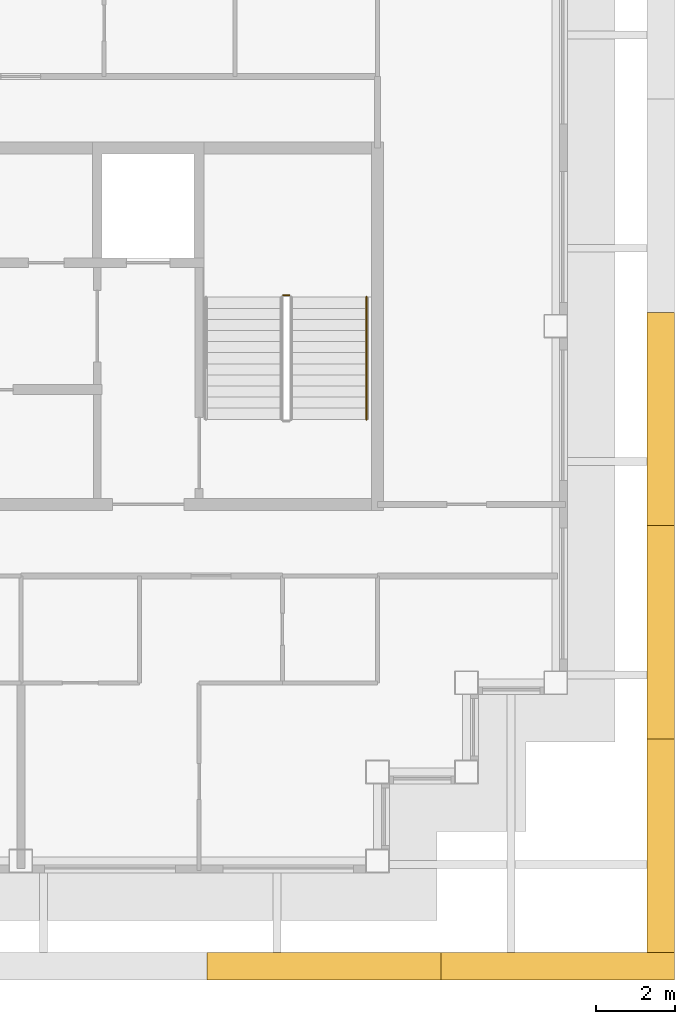
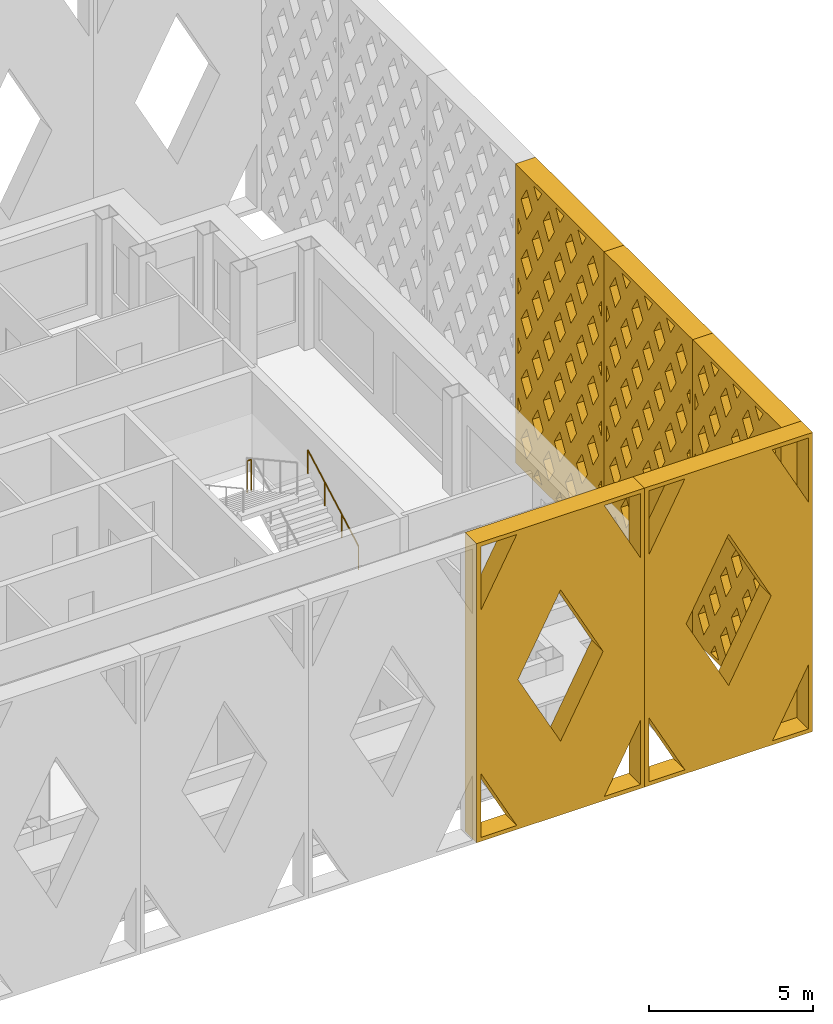
# One storey, part 12 of 13: 5 shading devices, 2 railings.
"""IFC4 building model written with IfcOpenShell, lengths in metres."""

import ifcopenshell
import ifcopenshell.guid

model = None  # the IFC model being written
_history = None  # IfcOwnerHistory: only IFC2X3 demands one
_inside = {}  # id of a spatial element -> (the spatial element, [elements in it])
_under = {}  # id of a project, library or spatial element -> (it, [spatial elements below it])
_declared = {}  # id of a project -> (the project, [libraries it declares])
_typed = {}  # id of a type object -> (the type object, [elements of that type])
_made_of = {}  # id of a material, layer set ... -> (it, [elements and type objects made of it])


def new_model(schema):
    """Start an empty IFC model of exactly this schema.

    Asked for "IFC4X3", IfcOpenShell would pick the latest addendum, in which some entities
    have other attributes; the version numbers below select the first issue.
    IFC2X3 requires an IfcOwnerHistory on every rooted entity: one is made here for all.
    """
    global model, _history
    if schema == "IFC4X3":
        model = ifcopenshell.file(schema_version=(4, 3, 0, 0))
    else:
        model = ifcopenshell.file(schema=schema)
    _inside.clear()
    _under.clear()
    _declared.clear()
    _typed.clear()
    _made_of.clear()
    _history = None
    if model.schema == "IFC2X3":
        org = make("IfcOrganization", Name="unknown")
        user = make(
            "IfcPersonAndOrganization",
            ThePerson=make("IfcPerson", FamilyName="unknown"),
            TheOrganization=org,
        )
        app = make(
            "IfcApplication",
            ApplicationDeveloper=org,
            Version="unknown",
            ApplicationFullName="unknown",
            ApplicationIdentifier="unknown",
        )
        _history = make(
            "IfcOwnerHistory",
            OwningUser=user,
            OwningApplication=app,
            ChangeAction="ADDED",
            CreationDate=0,
        )
    return model


def make(cls, **values):
    """One entity of the class cls with the attributes given. An attribute that is None is left unset."""
    return model.create_entity(
        cls, **{name: value for name, value in values.items() if value is not None}
    )


def rooted(cls, **values):
    """An entity with a GlobalId (a new one), such as an element, a storey or a relation."""
    return make(cls, GlobalId=ifcopenshell.guid.new(), OwnerHistory=_history, **values)


def si_unit(unit_type, name, prefix=None):
    """IfcSIUnit, for example si_unit("LENGTHUNIT", "METRE", prefix="MILLI")."""
    return make("IfcSIUnit", UnitType=unit_type, Prefix=prefix, Name=name)


def assignment(units):
    """IfcUnitAssignment: the units of a project."""
    return None if units is None else make("IfcUnitAssignment", Units=units)


def point(xyz):
    """IfcCartesianPoint."""
    return None if xyz is None else make("IfcCartesianPoint", Coordinates=xyz)


def direction(xyz):
    """IfcDirection."""
    return None if xyz is None else make("IfcDirection", DirectionRatios=xyz)


def frame(location, z_axis=None, x_axis=None):
    """IfcAxis2Placement3D, a coordinate frame: its origin and axes. An axis left out is left unset."""
    return make(
        "IfcAxis2Placement3D",
        Location=point(location),
        Axis=direction(z_axis),
        RefDirection=direction(x_axis),
    )


def frame_2d(location, x_axis=None):
    """IfcAxis2Placement2D, a coordinate frame in the plane: its origin and x axis."""
    return make(
        "IfcAxis2Placement2D", Location=point(location), RefDirection=direction(x_axis)
    )


def origin():
    """The frame at (0, 0, 0) with its axes left unset."""
    return frame((0.0, 0.0, 0.0))


def origin_2d():
    """The frame at (0, 0) in the plane with its x axis left unset."""
    return frame_2d((0.0, 0.0))


def place(relative_to, where):
    """IfcLocalPlacement: puts the frame where relative to a parent placement (None: the world)."""
    return make(
        "IfcLocalPlacement", PlacementRelTo=relative_to, RelativePlacement=where
    )


def context(
    kind, dimensions, precision=None, world=None, true_north=None, identifier=None
):
    """IfcGeometricRepresentationContext, for example the 3D "Model" context."""
    return make(
        "IfcGeometricRepresentationContext",
        ContextIdentifier=identifier,
        ContextType=kind,
        CoordinateSpaceDimension=dimensions,
        Precision=precision,
        WorldCoordinateSystem=world,
        TrueNorth=true_north,
    )


def subcontext(parent, identifier, kind, view, scale=None):
    """IfcGeometricRepresentationSubContext, for example "Body" below "Model"."""
    return make(
        "IfcGeometricRepresentationSubContext",
        ContextIdentifier=identifier,
        ContextType=kind,
        ParentContext=parent,
        TargetScale=scale,
        TargetView=view,
    )


def project(units=None, contexts=None):
    """IfcProject with its units and contexts."""
    return rooted(
        "IfcProject",
        Name="project",
        RepresentationContexts=contexts,
        UnitsInContext=assignment(units),
    )


def spatial(cls, under=None, at=None, **own):
    """A site, building, storey or space (cls), placed at a placement, below another one or the project."""
    s = rooted(cls, ObjectPlacement=at, **own)
    if under is not None:
        _under.setdefault(under.id(), (under, []))[1].append(s)
    return s


def polyline(points):
    """IfcPolyline through the points."""
    return make("IfcPolyline", Points=[point(p) for p in points])


def profile(cls, at=None, kind="AREA", **sizes):
    """A parametric profile (cls). Its sizes go by their IFC names, for example OverallWidth=200.0."""
    return make(cls, ProfileType=kind, Position=at, **sizes)


def circle(**sizes):
    """IfcCircleProfileDef."""
    return profile("IfcCircleProfileDef", **sizes)


def outline(outer, holes=None, kind="AREA"):
    """IfcArbitraryClosedProfileDef: a profile drawn as a closed curve; with holes, ...WithVoids."""
    if holes is None:
        return make("IfcArbitraryClosedProfileDef", ProfileType=kind, OuterCurve=outer)
    return make(
        "IfcArbitraryProfileDefWithVoids",
        ProfileType=kind,
        OuterCurve=outer,
        InnerCurves=holes,
    )


def extrude(swept, where, along, depth):
    """IfcExtrudedAreaSolid: the profile swept, set in the frame where, extruded along a direction by depth."""
    return make(
        "IfcExtrudedAreaSolid",
        SweptArea=swept,
        Position=where,
        ExtrudedDirection=direction(along),
        Depth=depth,
    )


def shape(context_of_items, identifier, shape_type, items):
    """IfcShapeRepresentation: the items that make up one representation, for example the "Body"."""
    return make(
        "IfcShapeRepresentation",
        ContextOfItems=context_of_items,
        RepresentationIdentifier=identifier,
        RepresentationType=shape_type,
        Items=items,
    )


def material(Name=None, Category=None):
    """IfcMaterial."""
    return make("IfcMaterial", Name=Name, Category=Category)


def made_of(thing, what):
    """Note that an element or type object is made of a material, layer set ...; save() writes the relation."""
    if what is not None:
        _made_of.setdefault(what.id(), (what, []))[1].append(thing)
    return thing


def type_object(cls, material=None, **own):
    """A type object (cls), such as IfcWallType, which elements share."""
    return made_of(rooted(cls, **own), material)


def element(
    cls,
    number,
    at=None,
    inside=None,
    cuts=None,
    type_object=None,
    material=None,
    context=None,
    identifier="Body",
    shape_type=None,
    held_by="IfcProductDefinitionShape",
    body=None,
    shapes=None,
    **own,
):
    """One element of the class cls, such as IfcWall. Its Tag is "e" and its number.

    at: its placement. inside: the storey or other place that contains it. cuts: it is an
    opening in that element (IfcRelVoidsElement). A single representation is given by context,
    identifier, shape_type and body (its items); several are given by shapes. held_by: the class
    of the entity that holds the representations. save() writes the other relations.
    """
    e = rooted(cls, Tag="e%d" % number, ObjectPlacement=at, **own)
    if body is not None:
        shapes = [shape(context, identifier, shape_type, body)]
    if shapes is not None:
        e.Representation = make(held_by, Representations=shapes)
    if inside is not None:
        _inside.setdefault(inside.id(), (inside, []))[1].append(e)
    if cuts is not None:
        rooted(
            "IfcRelVoidsElement", RelatingBuildingElement=cuts, RelatedOpeningElement=e
        )
    if type_object is not None:
        _typed.setdefault(type_object.id(), (type_object, []))[1].append(e)
    return made_of(e, material)


def aggregate(whole, parts):
    """IfcRelAggregates: a whole, such as a stair, and the parts it consists of."""
    return rooted("IfcRelAggregates", RelatingObject=whole, RelatedObjects=parts)


def save(model, path):
    """Write the relations noted so far, then the file.

    IfcRelAggregates (storeys below a building ...), IfcRelContainedInSpatialStructure (elements
    in a storey), IfcRelDefinesByType, IfcRelAssociatesMaterial and IfcRelDeclares: one each for
    every whole, place, type object, material and project.
    """
    for whole, parts in _under.values():
        aggregate(whole, parts)
    for where, things in _inside.values():
        rooted(
            "IfcRelContainedInSpatialStructure",
            RelatedElements=things,
            RelatingStructure=where,
        )
    for kind, things in _typed.values():
        rooted("IfcRelDefinesByType", RelatedObjects=things, RelatingType=kind)
    for what, things in _made_of.values():
        rooted("IfcRelAssociatesMaterial", RelatedObjects=things, RelatingMaterial=what)
    for by, libraries in _declared.values():
        rooted("IfcRelDeclares", RelatingContext=by, RelatedDefinitions=libraries)
    model.write(path)


model = new_model("IFC4")

# Units and contexts
model_context = context("Model", 3, precision=1e-05, world=origin(), true_north=direction((0.0, 1.0)))
body_context = subcontext(model_context, "Body", "Model", "MODEL_VIEW")
ifc_project = project(units=[si_unit("LENGTHUNIT", "METRE"), si_unit("AREAUNIT", "SQUARE_METRE"), si_unit("VOLUMEUNIT", "CUBIC_METRE"), si_unit("PLANEANGLEUNIT", "RADIAN"), si_unit("MASSUNIT", "GRAM", prefix="KILO")], contexts=[model_context])

# Site, building, storey
site_placement = place(None, origin())
site = spatial("IfcSite", under=ifc_project, at=site_placement, CompositionType="ELEMENT")
building_placement = place(site_placement, origin())
building = spatial("IfcBuilding", under=site, at=building_placement, Name="Caravel Reach Hotel and Residences", CompositionType="ELEMENT")
storey_placement = place(building_placement, frame((0.0, 0.0, 294.5)))
storey = spatial("IfcBuildingStorey", under=building, at=storey_placement, Name="L75", CompositionType="ELEMENT", Elevation=294.5)

# Shading devices
ifc_material_1 = material(Name="Black powder-coated aluminium", Category="aluminium")
shading_device_type_1 = type_object("IfcShadingDeviceType", Name="Diamond lattice screen panel 5383 x 11100", PredefinedType="USERDEFINED", material=ifc_material_1)
shading_device_1_placement = place(storey_placement, frame((51.800048828125, 11.199951171875, 0.0), z_axis=(1.0, 0.0, 0.0), x_axis=(0.0, 1.0, 0.0)))
element("IfcShadingDevice", 1, at=shading_device_1_placement, inside=storey, type_object=shading_device_type_1, Name="Lattice screen L75-L77 1.1", ObjectType="SCREEN", PredefinedType="USERDEFINED", context=body_context, shape_type="SweptSolid", body=[
    extrude(outline(polyline([(0.0, 0.0), (5.38330078125, 0.0), (5.38330078125, 11.10009765625), (0.0, 11.10009765625), (0.0, 0.0)]), holes=[polyline([(0.338134765625, 2.219970703125), (0.14990234375, 2.530517578125), (0.14990234375, 1.90966796875), (0.338134765625, 2.219970703125)]), polyline([(0.338134765625, 4.43994140625), (0.14990234375, 4.75048828125), (0.14990234375, 4.129638671875), (0.338134765625, 4.43994140625)]), polyline([(0.338134765625, 6.659912109375), (0.14990234375, 6.970458984375), (0.14990234375, 6.349609375), (0.338134765625, 6.659912109375)]), polyline([(0.338134765625, 8.8798828125), (0.14990234375, 9.1904296875), (0.14990234375, 8.569580078125), (0.338134765625, 8.8798828125)]), polyline([(0.6728515625, 1.667724609375), (0.334716796875, 1.110107421875), (0.6728515625, 0.55224609375), (1.010986328125, 1.110107421875), (0.6728515625, 1.667724609375)]), polyline([(0.6728515625, 3.887939453125), (0.334716796875, 3.330078125), (0.6728515625, 2.772216796875), (1.010986328125, 3.330078125), (0.6728515625, 3.887939453125)]), polyline([(0.6728515625, 6.10791015625), (0.334716796875, 5.550048828125), (0.6728515625, 4.9921875), (1.010986328125, 5.550048828125), (0.6728515625, 6.10791015625)]), polyline([(0.6728515625, 8.327880859375), (0.334716796875, 7.77001953125), (0.6728515625, 7.212158203125), (1.010986328125, 7.77001953125), (0.6728515625, 8.327880859375)]), polyline([(0.6728515625, 10.5478515625), (0.334716796875, 9.989990234375), (0.6728515625, 9.43212890625), (1.010986328125, 9.989990234375), (0.6728515625, 10.5478515625)]), polyline([(1.345947265625, 0.557861328125), (1.0986328125, 0.14990234375), (1.593017578125, 0.14990234375), (1.345947265625, 0.557861328125)]), polyline([(1.345947265625, 2.77783203125), (1.007568359375, 2.219970703125), (1.345947265625, 1.662109375), (1.68408203125, 2.219970703125), (1.345947265625, 2.77783203125)]), polyline([(1.345947265625, 4.997802734375), (1.007568359375, 4.43994140625), (1.345947265625, 3.882080078125), (1.68408203125, 4.43994140625), (1.345947265625, 4.997802734375)]), polyline([(1.345947265625, 7.2177734375), (1.007568359375, 6.659912109375), (1.345947265625, 6.10205078125), (1.68408203125, 6.659912109375), (1.345947265625, 7.2177734375)]), polyline([(1.345947265625, 9.437744140625), (1.007568359375, 8.8798828125), (1.345947265625, 8.322265625), (1.68408203125, 8.8798828125), (1.345947265625, 9.437744140625)]), polyline([(1.345947265625, 10.542236328125), (1.593017578125, 10.949951171875), (1.0986328125, 10.949951171875), (1.345947265625, 10.542236328125)]), polyline([(2.018798828125, 1.667724609375), (1.6806640625, 1.110107421875), (2.018798828125, 0.55224609375), (2.35693359375, 1.110107421875), (2.018798828125, 1.667724609375)]), polyline([(2.018798828125, 3.887939453125), (1.6806640625, 3.330078125), (2.018798828125, 2.772216796875), (2.35693359375, 3.330078125), (2.018798828125, 3.887939453125)]), polyline([(2.018798828125, 6.10791015625), (1.6806640625, 5.550048828125), (2.018798828125, 4.9921875), (2.35693359375, 5.550048828125), (2.018798828125, 6.10791015625)]), polyline([(2.018798828125, 8.327880859375), (1.6806640625, 7.77001953125), (2.018798828125, 7.212158203125), (2.35693359375, 7.77001953125), (2.018798828125, 8.327880859375)]), polyline([(2.018798828125, 10.5478515625), (1.6806640625, 9.989990234375), (2.018798828125, 9.43212890625), (2.35693359375, 9.989990234375), (2.018798828125, 10.5478515625)]), polyline([(2.691650390625, 0.557861328125), (2.4443359375, 0.14990234375), (2.93896484375, 0.14990234375), (2.691650390625, 0.557861328125)]), polyline([(2.691650390625, 2.77783203125), (2.353515625, 2.219970703125), (2.691650390625, 1.662109375), (3.02978515625, 2.219970703125), (2.691650390625, 2.77783203125)]), polyline([(2.691650390625, 4.997802734375), (2.353515625, 4.43994140625), (2.691650390625, 3.882080078125), (3.02978515625, 4.43994140625), (2.691650390625, 4.997802734375)]), polyline([(2.691650390625, 7.2177734375), (2.353515625, 6.659912109375), (2.691650390625, 6.10205078125), (3.02978515625, 6.659912109375), (2.691650390625, 7.2177734375)]), polyline([(2.691650390625, 9.437744140625), (2.353515625, 8.8798828125), (2.691650390625, 8.322265625), (3.02978515625, 8.8798828125), (2.691650390625, 9.437744140625)]), polyline([(2.691650390625, 10.542236328125), (2.93896484375, 10.949951171875), (2.4443359375, 10.949951171875), (2.691650390625, 10.542236328125)]), polyline([(3.364501953125, 1.667724609375), (3.0263671875, 1.110107421875), (3.364501953125, 0.55224609375), (3.702880859375, 1.110107421875), (3.364501953125, 1.667724609375)]), polyline([(3.364501953125, 3.887939453125), (3.0263671875, 3.330078125), (3.364501953125, 2.772216796875), (3.702880859375, 3.330078125), (3.364501953125, 3.887939453125)]), polyline([(3.364501953125, 6.10791015625), (3.0263671875, 5.550048828125), (3.364501953125, 4.9921875), (3.702880859375, 5.550048828125), (3.364501953125, 6.10791015625)]), polyline([(3.364501953125, 8.327880859375), (3.0263671875, 7.77001953125), (3.364501953125, 7.212158203125), (3.702880859375, 7.77001953125), (3.364501953125, 8.327880859375)]), polyline([(3.364501953125, 10.5478515625), (3.0263671875, 9.989990234375), (3.364501953125, 9.43212890625), (3.702880859375, 9.989990234375), (3.364501953125, 10.5478515625)]), polyline([(4.03759765625, 0.557861328125), (3.790283203125, 0.14990234375), (4.28466796875, 0.14990234375), (4.03759765625, 0.557861328125)]), polyline([(4.03759765625, 2.77783203125), (3.69921875, 2.219970703125), (4.03759765625, 1.662109375), (4.375732421875, 2.219970703125), (4.03759765625, 2.77783203125)]), polyline([(4.03759765625, 4.997802734375), (3.69921875, 4.43994140625), (4.03759765625, 3.882080078125), (4.375732421875, 4.43994140625), (4.03759765625, 4.997802734375)]), polyline([(4.03759765625, 7.2177734375), (3.69921875, 6.659912109375), (4.03759765625, 6.10205078125), (4.375732421875, 6.659912109375), (4.03759765625, 7.2177734375)]), polyline([(4.03759765625, 9.437744140625), (3.69921875, 8.8798828125), (4.03759765625, 8.322265625), (4.375732421875, 8.8798828125), (4.03759765625, 9.437744140625)]), polyline([(4.03759765625, 10.542236328125), (4.28466796875, 10.949951171875), (3.790283203125, 10.949951171875), (4.03759765625, 10.542236328125)]), polyline([(4.71044921875, 1.667724609375), (4.372314453125, 1.110107421875), (4.71044921875, 0.55224609375), (5.048583984375, 1.110107421875), (4.71044921875, 1.667724609375)]), polyline([(4.71044921875, 3.887939453125), (4.372314453125, 3.330078125), (4.71044921875, 2.772216796875), (5.048583984375, 3.330078125), (4.71044921875, 3.887939453125)]), polyline([(4.71044921875, 6.10791015625), (4.372314453125, 5.550048828125), (4.71044921875, 4.9921875), (5.048583984375, 5.550048828125), (4.71044921875, 6.10791015625)]), polyline([(4.71044921875, 8.327880859375), (4.372314453125, 7.77001953125), (4.71044921875, 7.212158203125), (5.048583984375, 7.77001953125), (4.71044921875, 8.327880859375)]), polyline([(4.71044921875, 10.5478515625), (4.372314453125, 9.989990234375), (4.71044921875, 9.43212890625), (5.048583984375, 9.989990234375), (4.71044921875, 10.5478515625)]), polyline([(5.045166015625, 2.219970703125), (5.2333984375, 1.90966796875), (5.2333984375, 2.530517578125), (5.045166015625, 2.219970703125)]), polyline([(5.045166015625, 4.43994140625), (5.2333984375, 4.129638671875), (5.2333984375, 4.75048828125), (5.045166015625, 4.43994140625)]), polyline([(5.045166015625, 6.659912109375), (5.2333984375, 6.349609375), (5.2333984375, 6.970458984375), (5.045166015625, 6.659912109375)]), polyline([(5.045166015625, 8.8798828125), (5.2333984375, 8.569580078125), (5.2333984375, 9.1904296875), (5.045166015625, 8.8798828125)])]), origin(), (0.0, 0.0, 1.0), 0.699951171875),
])
shading_device_2_placement = place(storey_placement, frame((51.800048828125, 16.583251953125, 0.0), z_axis=(1.0, 0.0, 0.0), x_axis=(0.0, 1.0, 0.0)))
element("IfcShadingDevice", 2, at=shading_device_2_placement, inside=storey, type_object=shading_device_type_1, Name="Lattice screen L75-L77 1.2", ObjectType="SCREEN", PredefinedType="USERDEFINED", context=body_context, shape_type="SweptSolid", body=[
    extrude(outline(polyline([(0.0, 0.0), (5.38330078125, 0.0), (5.38330078125, 11.10009765625), (0.0, 11.10009765625), (0.0, 0.0)]), holes=[polyline([(0.338134765625, 2.219970703125), (0.14990234375, 2.530517578125), (0.14990234375, 1.90966796875), (0.338134765625, 2.219970703125)]), polyline([(0.338134765625, 4.43994140625), (0.14990234375, 4.75048828125), (0.14990234375, 4.129638671875), (0.338134765625, 4.43994140625)]), polyline([(0.338134765625, 6.659912109375), (0.14990234375, 6.970458984375), (0.14990234375, 6.349609375), (0.338134765625, 6.659912109375)]), polyline([(0.338134765625, 8.8798828125), (0.14990234375, 9.1904296875), (0.14990234375, 8.569580078125), (0.338134765625, 8.8798828125)]), polyline([(0.6728515625, 1.667724609375), (0.334716796875, 1.110107421875), (0.6728515625, 0.55224609375), (1.010986328125, 1.110107421875), (0.6728515625, 1.667724609375)]), polyline([(0.6728515625, 3.887939453125), (0.334716796875, 3.330078125), (0.6728515625, 2.772216796875), (1.010986328125, 3.330078125), (0.6728515625, 3.887939453125)]), polyline([(0.6728515625, 6.10791015625), (0.334716796875, 5.550048828125), (0.6728515625, 4.9921875), (1.010986328125, 5.550048828125), (0.6728515625, 6.10791015625)]), polyline([(0.6728515625, 8.327880859375), (0.334716796875, 7.77001953125), (0.6728515625, 7.212158203125), (1.010986328125, 7.77001953125), (0.6728515625, 8.327880859375)]), polyline([(0.6728515625, 10.5478515625), (0.334716796875, 9.989990234375), (0.6728515625, 9.43212890625), (1.010986328125, 9.989990234375), (0.6728515625, 10.5478515625)]), polyline([(1.345947265625, 0.557861328125), (1.0986328125, 0.14990234375), (1.593017578125, 0.14990234375), (1.345947265625, 0.557861328125)]), polyline([(1.345947265625, 2.77783203125), (1.007568359375, 2.219970703125), (1.345947265625, 1.662109375), (1.68408203125, 2.219970703125), (1.345947265625, 2.77783203125)]), polyline([(1.345947265625, 4.997802734375), (1.007568359375, 4.43994140625), (1.345947265625, 3.882080078125), (1.68408203125, 4.43994140625), (1.345947265625, 4.997802734375)]), polyline([(1.345947265625, 7.2177734375), (1.007568359375, 6.659912109375), (1.345947265625, 6.10205078125), (1.68408203125, 6.659912109375), (1.345947265625, 7.2177734375)]), polyline([(1.345947265625, 9.437744140625), (1.007568359375, 8.8798828125), (1.345947265625, 8.322265625), (1.68408203125, 8.8798828125), (1.345947265625, 9.437744140625)]), polyline([(1.345947265625, 10.542236328125), (1.593017578125, 10.949951171875), (1.0986328125, 10.949951171875), (1.345947265625, 10.542236328125)]), polyline([(2.018798828125, 1.667724609375), (1.6806640625, 1.110107421875), (2.018798828125, 0.55224609375), (2.35693359375, 1.110107421875), (2.018798828125, 1.667724609375)]), polyline([(2.018798828125, 3.887939453125), (1.6806640625, 3.330078125), (2.018798828125, 2.772216796875), (2.35693359375, 3.330078125), (2.018798828125, 3.887939453125)]), polyline([(2.018798828125, 6.10791015625), (1.6806640625, 5.550048828125), (2.018798828125, 4.9921875), (2.35693359375, 5.550048828125), (2.018798828125, 6.10791015625)]), polyline([(2.018798828125, 8.327880859375), (1.6806640625, 7.77001953125), (2.018798828125, 7.212158203125), (2.35693359375, 7.77001953125), (2.018798828125, 8.327880859375)]), polyline([(2.018798828125, 10.5478515625), (1.6806640625, 9.989990234375), (2.018798828125, 9.43212890625), (2.35693359375, 9.989990234375), (2.018798828125, 10.5478515625)]), polyline([(2.691650390625, 0.557861328125), (2.4443359375, 0.14990234375), (2.93896484375, 0.14990234375), (2.691650390625, 0.557861328125)]), polyline([(2.691650390625, 2.77783203125), (2.353515625, 2.219970703125), (2.691650390625, 1.662109375), (3.02978515625, 2.219970703125), (2.691650390625, 2.77783203125)]), polyline([(2.691650390625, 4.997802734375), (2.353515625, 4.43994140625), (2.691650390625, 3.882080078125), (3.02978515625, 4.43994140625), (2.691650390625, 4.997802734375)]), polyline([(2.691650390625, 7.2177734375), (2.353515625, 6.659912109375), (2.691650390625, 6.10205078125), (3.02978515625, 6.659912109375), (2.691650390625, 7.2177734375)]), polyline([(2.691650390625, 9.437744140625), (2.353515625, 8.8798828125), (2.691650390625, 8.322265625), (3.02978515625, 8.8798828125), (2.691650390625, 9.437744140625)]), polyline([(2.691650390625, 10.542236328125), (2.93896484375, 10.949951171875), (2.4443359375, 10.949951171875), (2.691650390625, 10.542236328125)]), polyline([(3.364501953125, 1.667724609375), (3.0263671875, 1.110107421875), (3.364501953125, 0.55224609375), (3.702880859375, 1.110107421875), (3.364501953125, 1.667724609375)]), polyline([(3.364501953125, 3.887939453125), (3.0263671875, 3.330078125), (3.364501953125, 2.772216796875), (3.702880859375, 3.330078125), (3.364501953125, 3.887939453125)]), polyline([(3.364501953125, 6.10791015625), (3.0263671875, 5.550048828125), (3.364501953125, 4.9921875), (3.702880859375, 5.550048828125), (3.364501953125, 6.10791015625)]), polyline([(3.364501953125, 8.327880859375), (3.0263671875, 7.77001953125), (3.364501953125, 7.212158203125), (3.702880859375, 7.77001953125), (3.364501953125, 8.327880859375)]), polyline([(3.364501953125, 10.5478515625), (3.0263671875, 9.989990234375), (3.364501953125, 9.43212890625), (3.702880859375, 9.989990234375), (3.364501953125, 10.5478515625)]), polyline([(4.03759765625, 0.557861328125), (3.790283203125, 0.14990234375), (4.28466796875, 0.14990234375), (4.03759765625, 0.557861328125)]), polyline([(4.03759765625, 2.77783203125), (3.69921875, 2.219970703125), (4.03759765625, 1.662109375), (4.375732421875, 2.219970703125), (4.03759765625, 2.77783203125)]), polyline([(4.03759765625, 4.997802734375), (3.69921875, 4.43994140625), (4.03759765625, 3.882080078125), (4.375732421875, 4.43994140625), (4.03759765625, 4.997802734375)]), polyline([(4.03759765625, 7.2177734375), (3.69921875, 6.659912109375), (4.03759765625, 6.10205078125), (4.375732421875, 6.659912109375), (4.03759765625, 7.2177734375)]), polyline([(4.03759765625, 9.437744140625), (3.69921875, 8.8798828125), (4.03759765625, 8.322265625), (4.375732421875, 8.8798828125), (4.03759765625, 9.437744140625)]), polyline([(4.03759765625, 10.542236328125), (4.28466796875, 10.949951171875), (3.790283203125, 10.949951171875), (4.03759765625, 10.542236328125)]), polyline([(4.71044921875, 1.667724609375), (4.372314453125, 1.110107421875), (4.71044921875, 0.55224609375), (5.048583984375, 1.110107421875), (4.71044921875, 1.667724609375)]), polyline([(4.71044921875, 3.887939453125), (4.372314453125, 3.330078125), (4.71044921875, 2.772216796875), (5.048583984375, 3.330078125), (4.71044921875, 3.887939453125)]), polyline([(4.71044921875, 6.10791015625), (4.372314453125, 5.550048828125), (4.71044921875, 4.9921875), (5.048583984375, 5.550048828125), (4.71044921875, 6.10791015625)]), polyline([(4.71044921875, 8.327880859375), (4.372314453125, 7.77001953125), (4.71044921875, 7.212158203125), (5.048583984375, 7.77001953125), (4.71044921875, 8.327880859375)]), polyline([(4.71044921875, 10.5478515625), (4.372314453125, 9.989990234375), (4.71044921875, 9.43212890625), (5.048583984375, 9.989990234375), (4.71044921875, 10.5478515625)]), polyline([(5.045166015625, 2.219970703125), (5.2333984375, 1.90966796875), (5.2333984375, 2.530517578125), (5.045166015625, 2.219970703125)]), polyline([(5.045166015625, 4.43994140625), (5.2333984375, 4.129638671875), (5.2333984375, 4.75048828125), (5.045166015625, 4.43994140625)]), polyline([(5.045166015625, 6.659912109375), (5.2333984375, 6.349609375), (5.2333984375, 6.970458984375), (5.045166015625, 6.659912109375)]), polyline([(5.045166015625, 8.8798828125), (5.2333984375, 8.569580078125), (5.2333984375, 9.1904296875), (5.045166015625, 8.8798828125)])]), origin(), (0.0, 0.0, 1.0), 0.699951171875),
])
shading_device_3_placement = place(storey_placement, frame((51.800048828125, 21.966552734375, 0.0), z_axis=(1.0, 0.0, 0.0), x_axis=(0.0, 1.0, 0.0)))
element("IfcShadingDevice", 3, at=shading_device_3_placement, inside=storey, type_object=shading_device_type_1, Name="Lattice screen L75-L77 1.3", ObjectType="SCREEN", PredefinedType="USERDEFINED", context=body_context, shape_type="SweptSolid", body=[
    extrude(outline(polyline([(0.0, 0.0), (5.38330078125, 0.0), (5.38330078125, 11.10009765625), (0.0, 11.10009765625), (0.0, 0.0)]), holes=[polyline([(0.338134765625, 2.219970703125), (0.14990234375, 2.530517578125), (0.14990234375, 1.90966796875), (0.338134765625, 2.219970703125)]), polyline([(0.338134765625, 4.43994140625), (0.14990234375, 4.75048828125), (0.14990234375, 4.129638671875), (0.338134765625, 4.43994140625)]), polyline([(0.338134765625, 6.659912109375), (0.14990234375, 6.970458984375), (0.14990234375, 6.349609375), (0.338134765625, 6.659912109375)]), polyline([(0.338134765625, 8.8798828125), (0.14990234375, 9.1904296875), (0.14990234375, 8.569580078125), (0.338134765625, 8.8798828125)]), polyline([(0.6728515625, 1.667724609375), (0.334716796875, 1.110107421875), (0.6728515625, 0.55224609375), (1.010986328125, 1.110107421875), (0.6728515625, 1.667724609375)]), polyline([(0.6728515625, 3.887939453125), (0.334716796875, 3.330078125), (0.6728515625, 2.772216796875), (1.010986328125, 3.330078125), (0.6728515625, 3.887939453125)]), polyline([(0.6728515625, 6.10791015625), (0.334716796875, 5.550048828125), (0.6728515625, 4.9921875), (1.010986328125, 5.550048828125), (0.6728515625, 6.10791015625)]), polyline([(0.6728515625, 8.327880859375), (0.334716796875, 7.77001953125), (0.6728515625, 7.212158203125), (1.010986328125, 7.77001953125), (0.6728515625, 8.327880859375)]), polyline([(0.6728515625, 10.5478515625), (0.334716796875, 9.989990234375), (0.6728515625, 9.43212890625), (1.010986328125, 9.989990234375), (0.6728515625, 10.5478515625)]), polyline([(1.345947265625, 0.557861328125), (1.0986328125, 0.14990234375), (1.593017578125, 0.14990234375), (1.345947265625, 0.557861328125)]), polyline([(1.345947265625, 2.77783203125), (1.007568359375, 2.219970703125), (1.345947265625, 1.662109375), (1.68408203125, 2.219970703125), (1.345947265625, 2.77783203125)]), polyline([(1.345947265625, 4.997802734375), (1.007568359375, 4.43994140625), (1.345947265625, 3.882080078125), (1.68408203125, 4.43994140625), (1.345947265625, 4.997802734375)]), polyline([(1.345947265625, 7.2177734375), (1.007568359375, 6.659912109375), (1.345947265625, 6.10205078125), (1.68408203125, 6.659912109375), (1.345947265625, 7.2177734375)]), polyline([(1.345947265625, 9.437744140625), (1.007568359375, 8.8798828125), (1.345947265625, 8.322265625), (1.68408203125, 8.8798828125), (1.345947265625, 9.437744140625)]), polyline([(1.345947265625, 10.542236328125), (1.593017578125, 10.949951171875), (1.0986328125, 10.949951171875), (1.345947265625, 10.542236328125)]), polyline([(2.018798828125, 1.667724609375), (1.6806640625, 1.110107421875), (2.018798828125, 0.55224609375), (2.35693359375, 1.110107421875), (2.018798828125, 1.667724609375)]), polyline([(2.018798828125, 3.887939453125), (1.6806640625, 3.330078125), (2.018798828125, 2.772216796875), (2.35693359375, 3.330078125), (2.018798828125, 3.887939453125)]), polyline([(2.018798828125, 6.10791015625), (1.6806640625, 5.550048828125), (2.018798828125, 4.9921875), (2.35693359375, 5.550048828125), (2.018798828125, 6.10791015625)]), polyline([(2.018798828125, 8.327880859375), (1.6806640625, 7.77001953125), (2.018798828125, 7.212158203125), (2.35693359375, 7.77001953125), (2.018798828125, 8.327880859375)]), polyline([(2.018798828125, 10.5478515625), (1.6806640625, 9.989990234375), (2.018798828125, 9.43212890625), (2.35693359375, 9.989990234375), (2.018798828125, 10.5478515625)]), polyline([(2.691650390625, 0.557861328125), (2.4443359375, 0.14990234375), (2.93896484375, 0.14990234375), (2.691650390625, 0.557861328125)]), polyline([(2.691650390625, 2.77783203125), (2.353515625, 2.219970703125), (2.691650390625, 1.662109375), (3.02978515625, 2.219970703125), (2.691650390625, 2.77783203125)]), polyline([(2.691650390625, 4.997802734375), (2.353515625, 4.43994140625), (2.691650390625, 3.882080078125), (3.02978515625, 4.43994140625), (2.691650390625, 4.997802734375)]), polyline([(2.691650390625, 7.2177734375), (2.353515625, 6.659912109375), (2.691650390625, 6.10205078125), (3.02978515625, 6.659912109375), (2.691650390625, 7.2177734375)]), polyline([(2.691650390625, 9.437744140625), (2.353515625, 8.8798828125), (2.691650390625, 8.322265625), (3.02978515625, 8.8798828125), (2.691650390625, 9.437744140625)]), polyline([(2.691650390625, 10.542236328125), (2.93896484375, 10.949951171875), (2.4443359375, 10.949951171875), (2.691650390625, 10.542236328125)]), polyline([(3.364501953125, 1.667724609375), (3.0263671875, 1.110107421875), (3.364501953125, 0.55224609375), (3.702880859375, 1.110107421875), (3.364501953125, 1.667724609375)]), polyline([(3.364501953125, 3.887939453125), (3.0263671875, 3.330078125), (3.364501953125, 2.772216796875), (3.702880859375, 3.330078125), (3.364501953125, 3.887939453125)]), polyline([(3.364501953125, 6.10791015625), (3.0263671875, 5.550048828125), (3.364501953125, 4.9921875), (3.702880859375, 5.550048828125), (3.364501953125, 6.10791015625)]), polyline([(3.364501953125, 8.327880859375), (3.0263671875, 7.77001953125), (3.364501953125, 7.212158203125), (3.702880859375, 7.77001953125), (3.364501953125, 8.327880859375)]), polyline([(3.364501953125, 10.5478515625), (3.0263671875, 9.989990234375), (3.364501953125, 9.43212890625), (3.702880859375, 9.989990234375), (3.364501953125, 10.5478515625)]), polyline([(4.03759765625, 0.557861328125), (3.790283203125, 0.14990234375), (4.28466796875, 0.14990234375), (4.03759765625, 0.557861328125)]), polyline([(4.03759765625, 2.77783203125), (3.69921875, 2.219970703125), (4.03759765625, 1.662109375), (4.375732421875, 2.219970703125), (4.03759765625, 2.77783203125)]), polyline([(4.03759765625, 4.997802734375), (3.69921875, 4.43994140625), (4.03759765625, 3.882080078125), (4.375732421875, 4.43994140625), (4.03759765625, 4.997802734375)]), polyline([(4.03759765625, 7.2177734375), (3.69921875, 6.659912109375), (4.03759765625, 6.10205078125), (4.375732421875, 6.659912109375), (4.03759765625, 7.2177734375)]), polyline([(4.03759765625, 9.437744140625), (3.69921875, 8.8798828125), (4.03759765625, 8.322265625), (4.375732421875, 8.8798828125), (4.03759765625, 9.437744140625)]), polyline([(4.03759765625, 10.542236328125), (4.28466796875, 10.949951171875), (3.790283203125, 10.949951171875), (4.03759765625, 10.542236328125)]), polyline([(4.71044921875, 1.667724609375), (4.372314453125, 1.110107421875), (4.71044921875, 0.55224609375), (5.048583984375, 1.110107421875), (4.71044921875, 1.667724609375)]), polyline([(4.71044921875, 3.887939453125), (4.372314453125, 3.330078125), (4.71044921875, 2.772216796875), (5.048583984375, 3.330078125), (4.71044921875, 3.887939453125)]), polyline([(4.71044921875, 6.10791015625), (4.372314453125, 5.550048828125), (4.71044921875, 4.9921875), (5.048583984375, 5.550048828125), (4.71044921875, 6.10791015625)]), polyline([(4.71044921875, 8.327880859375), (4.372314453125, 7.77001953125), (4.71044921875, 7.212158203125), (5.048583984375, 7.77001953125), (4.71044921875, 8.327880859375)]), polyline([(4.71044921875, 10.5478515625), (4.372314453125, 9.989990234375), (4.71044921875, 9.43212890625), (5.048583984375, 9.989990234375), (4.71044921875, 10.5478515625)]), polyline([(5.045166015625, 2.219970703125), (5.2333984375, 1.90966796875), (5.2333984375, 2.530517578125), (5.045166015625, 2.219970703125)]), polyline([(5.045166015625, 4.43994140625), (5.2333984375, 4.129638671875), (5.2333984375, 4.75048828125), (5.045166015625, 4.43994140625)]), polyline([(5.045166015625, 6.659912109375), (5.2333984375, 6.349609375), (5.2333984375, 6.970458984375), (5.045166015625, 6.659912109375)]), polyline([(5.045166015625, 8.8798828125), (5.2333984375, 8.569580078125), (5.2333984375, 9.1904296875), (5.045166015625, 8.8798828125)])]), origin(), (0.0, 0.0, 1.0), 0.699951171875),
])
ifc_material_2 = material(Name="Black powder-coated aluminium", Category="aluminium")
shading_device_type_2 = type_object("IfcShadingDeviceType", Name="Diamond lattice screen panel 5900 x 11100", PredefinedType="USERDEFINED", material=ifc_material_2)
for number, where, z_axis, x_axis, name in (
    (4, (40.699951171875, 11.199951171875, 0.0), (0.0, -1.0, 0.0), (1.0, 0.0, 0.0), "Lattice screen L75-L77 4.6"),
    (5, (46.60009765625, 11.199951171875, 0.0), (0.0, -1.0, 0.0), (1.0, 0.0, 0.0), "Lattice screen L75-L77 4.7"),
):
    element("IfcShadingDevice", number, at=place(storey_placement, frame(where, z_axis=z_axis, x_axis=x_axis)), inside=storey, type_object=shading_device_type_2, Name=name, ObjectType="SCREEN", PredefinedType="USERDEFINED", context=body_context, shape_type="SweptSolid", body=[
        extrude(outline(polyline([(0.0, 0.0), (5.89990234375, 0.0), (5.89990234375, 11.10009765625), (0.0, 11.10009765625), (0.0, 0.0)]), holes=[polyline([(1.4140625, 0.14990234375), (0.14990234375, 2.528076171875), (0.14990234375, 0.14990234375), (1.4140625, 0.14990234375)]), polyline([(0.14990234375, 8.572021484375), (1.4140625, 10.949951171875), (0.14990234375, 10.949951171875), (0.14990234375, 8.572021484375)]), polyline([(2.949951171875, 8.3603515625), (1.456298828125, 5.550048828125), (2.949951171875, 2.73974609375), (4.44384765625, 5.550048828125), (2.949951171875, 8.3603515625)]), polyline([(5.75, 2.528076171875), (4.486083984375, 0.14990234375), (5.75, 0.14990234375), (5.75, 2.528076171875)]), polyline([(4.486083984375, 10.949951171875), (5.75, 8.572021484375), (5.75, 10.949951171875), (4.486083984375, 10.949951171875)])]), origin(), (0.0, 0.0, 1.0), 0.699951171875),
    ])

# Railings
ifc_material_3 = material(Name="Steel balustrade with glass infill", Category="steel")
railing_type_1 = type_object("IfcRailingType", Name="Guard 1200", PredefinedType="GUARDRAIL", material=ifc_material_3)
railing_1_placement = place(storey_placement, frame((42.77490234375, 27.780029296875, 1.85009765625)))
element("IfcRailing", 6, at=railing_1_placement, inside=storey, type_object=railing_type_1, Name="L75 ST-B stair guard 2", PredefinedType="GUARDRAIL", context=body_context, shape_type="SweptSolid", body=[
    extrude(circle(Radius=0.02392578125, at=origin_2d()), frame((0.0, 0.0, 1.17578125), z_axis=(-1.0, 0.0, 0.0), x_axis=(0.0, -1.0, 0.0)), (0.0, 0.0, 1.0), 0.14990234375),
    extrude(circle(Radius=0.02099609375, at=origin_2d()), origin(), (0.0, 0.0, 1.0), 1.15185546875),
    extrude(circle(Radius=0.02099609375, at=origin_2d()), frame((-0.14990234375, 0.0, 0.0)), (0.0, 0.0, 1.0), 1.15185546875),
])
ifc_material_4 = material(Name="Stainless steel handrail", Category="steel")
railing_type_2 = type_object("IfcRailingType", Name="Handrail 900", PredefinedType="HANDRAIL", material=ifc_material_4)
railing_2_placement = place(storey_placement, frame((44.72509765625, 24.64990234375, 0.154052734375)))
element("IfcRailing", 7, at=railing_2_placement, inside=storey, type_object=railing_type_2, Name="L75 ST-B stair handrail 1", PredefinedType="HANDRAIL", context=body_context, shape_type="SweptSolid", body=[
    extrude(circle(Radius=0.02392578125, at=origin_2d()), frame((0.0, 0.0, 0.8759765625), z_axis=(0.0, 0.875975380505, 0.482355815502), x_axis=(-1.0, 0.0, 0.0)), (0.0, 0.0, 1.0), 3.51611328125),
    extrude(circle(Radius=0.02099609375, at=origin_2d()), origin(), (0.0, 0.0, 1.0), 0.851806640625),
    extrude(circle(Radius=0.02099609375, at=origin_2d()), frame((0.0, 1.026611328125, 0.5654296875)), (0.0, 0.0, 1.0), 0.851806640625),
    extrude(circle(Radius=0.02099609375, at=origin_2d()), frame((0.0, 2.053466796875, 1.130615234375)), (0.0, 0.0, 1.0), 0.851806640625),
    extrude(circle(Radius=0.02099609375, at=origin_2d()), frame((0.0, 3.080078125, 1.696044921875)), (0.0, 0.0, 1.0), 0.851806640625),
])

save(model, "model.ifc")
